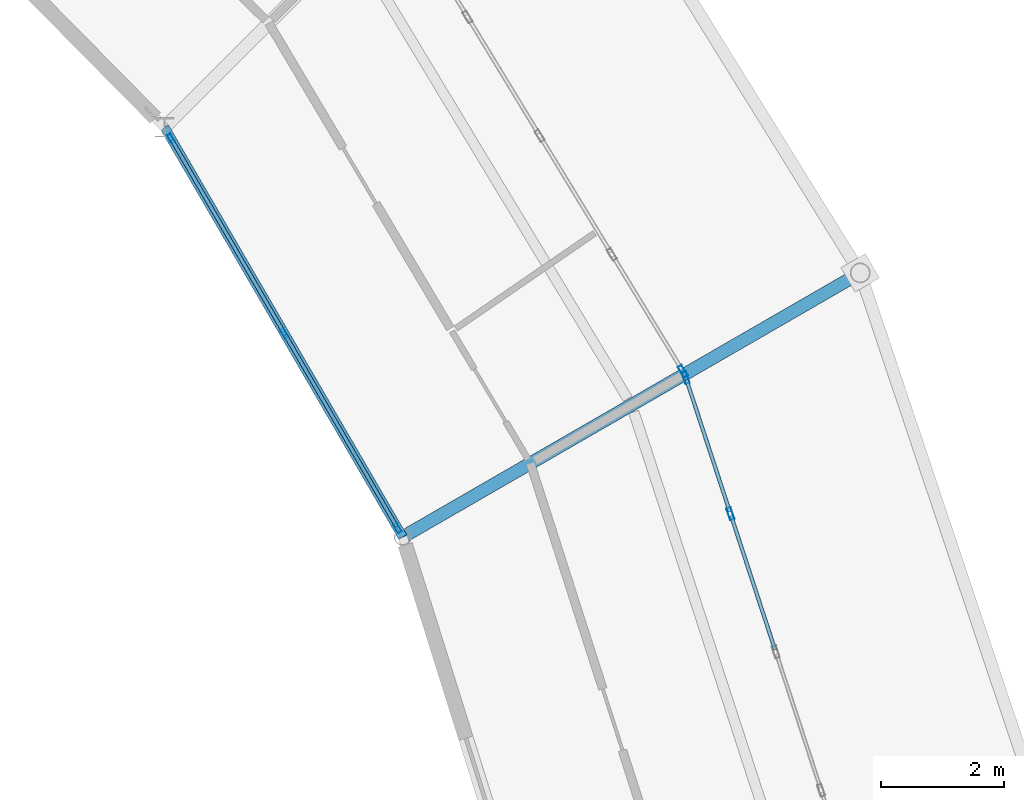
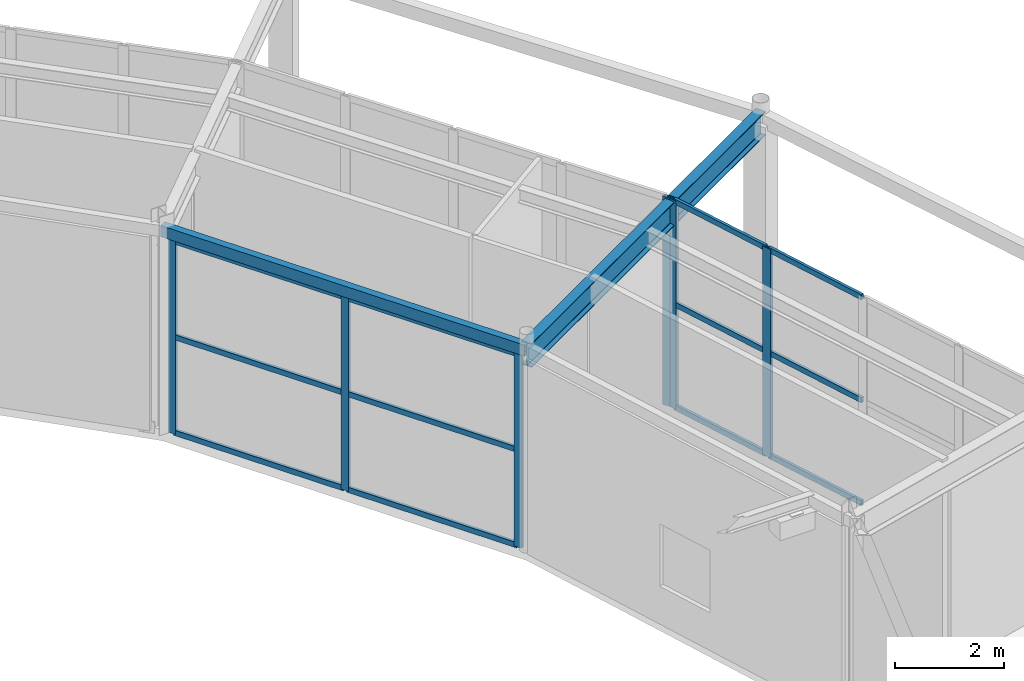
# One storey, part 84 of 144: 18 members, 2 beams, 3 elements without a shape of their own.
"""IFC4 building model written with IfcOpenShell, lengths in metres."""

import ifcopenshell
import ifcopenshell.guid

model = None  # the IFC model being written
_history = None  # IfcOwnerHistory: only IFC2X3 demands one
_inside = {}  # id of a spatial element -> (the spatial element, [elements in it])
_under = {}  # id of a project, library or spatial element -> (it, [spatial elements below it])
_declared = {}  # id of a project -> (the project, [libraries it declares])
_typed = {}  # id of a type object -> (the type object, [elements of that type])
_made_of = {}  # id of a material, layer set ... -> (it, [elements and type objects made of it])


def new_model(schema):
    """Start an empty IFC model of exactly this schema.

    Asked for "IFC4X3", IfcOpenShell would pick the latest addendum, in which some entities
    have other attributes; the version numbers below select the first issue.
    IFC2X3 requires an IfcOwnerHistory on every rooted entity: one is made here for all.
    """
    global model, _history
    if schema == "IFC4X3":
        model = ifcopenshell.file(schema_version=(4, 3, 0, 0))
    else:
        model = ifcopenshell.file(schema=schema)
    _inside.clear()
    _under.clear()
    _declared.clear()
    _typed.clear()
    _made_of.clear()
    _history = None
    if model.schema == "IFC2X3":
        org = make("IfcOrganization", Name="unknown")
        user = make(
            "IfcPersonAndOrganization",
            ThePerson=make("IfcPerson", FamilyName="unknown"),
            TheOrganization=org,
        )
        app = make(
            "IfcApplication",
            ApplicationDeveloper=org,
            Version="unknown",
            ApplicationFullName="unknown",
            ApplicationIdentifier="unknown",
        )
        _history = make(
            "IfcOwnerHistory",
            OwningUser=user,
            OwningApplication=app,
            ChangeAction="ADDED",
            CreationDate=0,
        )
    return model


def make(cls, **values):
    """One entity of the class cls with the attributes given. An attribute that is None is left unset."""
    return model.create_entity(
        cls, **{name: value for name, value in values.items() if value is not None}
    )


def rooted(cls, **values):
    """An entity with a GlobalId (a new one), such as an element, a storey or a relation."""
    return make(cls, GlobalId=ifcopenshell.guid.new(), OwnerHistory=_history, **values)


def si_unit(unit_type, name, prefix=None):
    """IfcSIUnit, for example si_unit("LENGTHUNIT", "METRE", prefix="MILLI")."""
    return make("IfcSIUnit", UnitType=unit_type, Prefix=prefix, Name=name)


def assignment(units):
    """IfcUnitAssignment: the units of a project."""
    return None if units is None else make("IfcUnitAssignment", Units=units)


def point(xyz):
    """IfcCartesianPoint."""
    return None if xyz is None else make("IfcCartesianPoint", Coordinates=xyz)


def direction(xyz):
    """IfcDirection."""
    return None if xyz is None else make("IfcDirection", DirectionRatios=xyz)


def frame(location, z_axis=None, x_axis=None):
    """IfcAxis2Placement3D, a coordinate frame: its origin and axes. An axis left out is left unset."""
    return make(
        "IfcAxis2Placement3D",
        Location=point(location),
        Axis=direction(z_axis),
        RefDirection=direction(x_axis),
    )


def frame_2d(location, x_axis=None):
    """IfcAxis2Placement2D, a coordinate frame in the plane: its origin and x axis."""
    return make(
        "IfcAxis2Placement2D", Location=point(location), RefDirection=direction(x_axis)
    )


def origin():
    """The frame at (0, 0, 0) with its axes left unset."""
    return frame((0.0, 0.0, 0.0))


def origin_2d():
    """The frame at (0, 0) in the plane with its x axis left unset."""
    return frame_2d((0.0, 0.0))


def place(relative_to, where):
    """IfcLocalPlacement: puts the frame where relative to a parent placement (None: the world)."""
    return make(
        "IfcLocalPlacement", PlacementRelTo=relative_to, RelativePlacement=where
    )


def context(
    kind, dimensions, precision=None, world=None, true_north=None, identifier=None
):
    """IfcGeometricRepresentationContext, for example the 3D "Model" context."""
    return make(
        "IfcGeometricRepresentationContext",
        ContextIdentifier=identifier,
        ContextType=kind,
        CoordinateSpaceDimension=dimensions,
        Precision=precision,
        WorldCoordinateSystem=world,
        TrueNorth=true_north,
    )


def subcontext(parent, identifier, kind, view, scale=None):
    """IfcGeometricRepresentationSubContext, for example "Body" below "Model"."""
    return make(
        "IfcGeometricRepresentationSubContext",
        ContextIdentifier=identifier,
        ContextType=kind,
        ParentContext=parent,
        TargetScale=scale,
        TargetView=view,
    )


def project(units=None, contexts=None):
    """IfcProject with its units and contexts."""
    return rooted(
        "IfcProject",
        Name="project",
        RepresentationContexts=contexts,
        UnitsInContext=assignment(units),
    )


def spatial(cls, under=None, at=None, **own):
    """A site, building, storey or space (cls), placed at a placement, below another one or the project."""
    s = rooted(cls, ObjectPlacement=at, **own)
    if under is not None:
        _under.setdefault(under.id(), (under, []))[1].append(s)
    return s


def profile(cls, at=None, kind="AREA", **sizes):
    """A parametric profile (cls). Its sizes go by their IFC names, for example OverallWidth=200.0."""
    return make(cls, ProfileType=kind, Position=at, **sizes)


def hollow_rectangle(**sizes):
    """IfcRectangleHollowProfileDef."""
    return profile("IfcRectangleHollowProfileDef", **sizes)


def i_section(**sizes):
    """IfcIShapeProfileDef."""
    return profile("IfcIShapeProfileDef", **sizes)


def extrude(swept, where, along, depth):
    """IfcExtrudedAreaSolid: the profile swept, set in the frame where, extruded along a direction by depth."""
    return make(
        "IfcExtrudedAreaSolid",
        SweptArea=swept,
        Position=where,
        ExtrudedDirection=direction(along),
        Depth=depth,
    )


def shape(context_of_items, identifier, shape_type, items):
    """IfcShapeRepresentation: the items that make up one representation, for example the "Body"."""
    return make(
        "IfcShapeRepresentation",
        ContextOfItems=context_of_items,
        RepresentationIdentifier=identifier,
        RepresentationType=shape_type,
        Items=items,
    )


def material(Name=None, Category=None):
    """IfcMaterial."""
    return make("IfcMaterial", Name=Name, Category=Category)


def material_profile(
    of_material, cross_section, Name=None, Category=None, Priority=None
):
    """IfcMaterialProfile: a cross section and its material."""
    return make(
        "IfcMaterialProfile",
        Name=Name,
        Material=of_material,
        Profile=cross_section,
        Priority=Priority,
        Category=Category,
    )


def profile_set(profiles, Name=None, composite=None):
    """IfcMaterialProfileSet."""
    return make(
        "IfcMaterialProfileSet",
        Name=Name,
        MaterialProfiles=profiles,
        CompositeProfile=composite,
    )


def made_of(thing, what):
    """Note that an element or type object is made of a material, layer set ...; save() writes the relation."""
    if what is not None:
        _made_of.setdefault(what.id(), (what, []))[1].append(thing)
    return thing


def type_object(cls, material=None, **own):
    """A type object (cls), such as IfcWallType, which elements share."""
    return made_of(rooted(cls, **own), material)


def element(
    cls,
    number,
    at=None,
    inside=None,
    cuts=None,
    type_object=None,
    material=None,
    context=None,
    identifier="Body",
    shape_type=None,
    held_by="IfcProductDefinitionShape",
    body=None,
    shapes=None,
    **own,
):
    """One element of the class cls, such as IfcWall. Its Tag is "e" and its number.

    at: its placement. inside: the storey or other place that contains it. cuts: it is an
    opening in that element (IfcRelVoidsElement). A single representation is given by context,
    identifier, shape_type and body (its items); several are given by shapes. held_by: the class
    of the entity that holds the representations. save() writes the other relations.
    """
    e = rooted(cls, Tag="e%d" % number, ObjectPlacement=at, **own)
    if body is not None:
        shapes = [shape(context, identifier, shape_type, body)]
    if shapes is not None:
        e.Representation = make(held_by, Representations=shapes)
    if inside is not None:
        _inside.setdefault(inside.id(), (inside, []))[1].append(e)
    if cuts is not None:
        rooted(
            "IfcRelVoidsElement", RelatingBuildingElement=cuts, RelatedOpeningElement=e
        )
    if type_object is not None:
        _typed.setdefault(type_object.id(), (type_object, []))[1].append(e)
    return made_of(e, material)


def aggregate(whole, parts):
    """IfcRelAggregates: a whole, such as a stair, and the parts it consists of."""
    return rooted("IfcRelAggregates", RelatingObject=whole, RelatedObjects=parts)


def save(model, path):
    """Write the relations noted so far, then the file.

    IfcRelAggregates (storeys below a building ...), IfcRelContainedInSpatialStructure (elements
    in a storey), IfcRelDefinesByType, IfcRelAssociatesMaterial and IfcRelDeclares: one each for
    every whole, place, type object, material and project.
    """
    for whole, parts in _under.values():
        aggregate(whole, parts)
    for where, things in _inside.values():
        rooted(
            "IfcRelContainedInSpatialStructure",
            RelatedElements=things,
            RelatingStructure=where,
        )
    for kind, things in _typed.values():
        rooted("IfcRelDefinesByType", RelatedObjects=things, RelatingType=kind)
    for what, things in _made_of.values():
        rooted("IfcRelAssociatesMaterial", RelatedObjects=things, RelatingMaterial=what)
    for by, libraries in _declared.values():
        rooted("IfcRelDeclares", RelatingContext=by, RelatedDefinitions=libraries)
    model.write(path)


model = new_model("IFC4")

# Units and contexts
model_context = context("Model", 3, precision=1e-05, world=origin(), true_north=direction((0.0, 1.0)))
body_context = subcontext(model_context, "Body", "Model", "MODEL_VIEW")
ifc_project = project(units=[si_unit("LENGTHUNIT", "METRE"), si_unit("AREAUNIT", "SQUARE_METRE"), si_unit("VOLUMEUNIT", "CUBIC_METRE"), si_unit("PLANEANGLEUNIT", "RADIAN"), si_unit("MASSUNIT", "GRAM", prefix="KILO")], contexts=[model_context])

# Site, building, storey
site_placement = place(None, origin())
site = spatial("IfcSite", under=ifc_project, at=site_placement, CompositionType="ELEMENT")
building_placement = place(site_placement, origin())
building = spatial("IfcBuilding", under=site, at=building_placement, Name="Karori Crest Natural Sciences Institute", CompositionType="ELEMENT")
storey_placement = place(building_placement, origin())
storey = spatial("IfcBuildingStorey", under=building, at=storey_placement, Name="L00", CompositionType="ELEMENT", Elevation=0.0)

# Beams
ifc_material_1 = material(Name="Structural steel AS/NZS 3679.1 Grade 350", Category="steel")
ifc_material_profile_1 = material_profile(ifc_material_1, i_section(OverallWidth=0.208984375, OverallDepth=0.532958984375, WebThickness=0.01025390625, FlangeThickness=0.015625, FilletRadius=0.013916015625, at=origin_2d()), Name="530UB92.4")
ifc_profile_set_1 = profile_set([ifc_material_profile_1], Name="Structural steel AS/NZS 3679.1 Grade 350")
beam_type_1 = type_object("IfcBeamType", Name="BT-05", PredefinedType="BEAM", material=ifc_profile_set_1)
beam_1_placement = place(storey_placement, frame((87.531005859375, 66.0, 4.37353515625), z_axis=(0.866021068297, 0.500007509209, 0.0), x_axis=(-0.500007509209, 0.866021068297, 0.0)))
element("IfcBeam", 1, at=beam_1_placement, inside=storey, type_object=beam_type_1, Name="Beam B-0099", PredefinedType="BEAM", context=body_context, shape_type="SweptSolid", body=[
    extrude(i_section(OverallWidth=0.208984375, OverallDepth=0.532958984375, WebThickness=0.01025390625, FlangeThickness=0.015625, FilletRadius=0.013916015625, at=origin_2d()), origin(), (0.0, 0.0, 1.0), 8.599853515625),
])
ifc_material_2 = material(Name="Hollow structural steel AS/NZS 1163 Grade C350", Category="steel")
ifc_material_profile_2 = material_profile(ifc_material_2, hollow_rectangle(XDim=0.14990234375, YDim=0.25, WallThickness=0.009033203125, at=origin_2d()), Name="RHS250x150x9")
ifc_profile_set_2 = profile_set([ifc_material_profile_2], Name="Hollow structural steel AS/NZS 1163 Grade C350")
beam_type_2 = type_object("IfcBeamType", Name="BT-16", PredefinedType="SPANDREL", material=ifc_profile_set_2)
beam_2_placement = place(storey_placement, frame((87.531005859375, 66.0, 4.489990234375), z_axis=(-0.502672163425, 0.864477122958, 0.0), x_axis=(-0.864477122958, -0.502672163425, 0.0)))
element("IfcBeam", 2, at=beam_2_placement, inside=storey, type_object=beam_type_2, Name="Beam B-0098", PredefinedType="SPANDREL", context=body_context, shape_type="SweptSolid", body=[
    extrude(hollow_rectangle(XDim=0.14990234375, YDim=0.25, WallThickness=0.009033203125, at=origin_2d()), origin(), (0.0, 0.0, 1.0), 7.714111328125),
])

# Curtain wall, members
ifc_material_3 = material(Name="Anodised architectural aluminium 6063-T6", Category="aluminium")
curtain_wall_type_1 = type_object("IfcCurtainWallType", Name="CWT-13", PredefinedType="NOTDEFINED", material=ifc_material_3)
curtain_wall_1_placement = place(storey_placement, origin())
curtain_wall_1 = element("IfcCurtainWall", 3, at=curtain_wall_1_placement, inside=storey, type_object=curtain_wall_type_1, Name="Curtain wall CW-0004", PredefinedType="NOTDEFINED")
ifc_material_profile_3 = material_profile(ifc_material_3, hollow_rectangle(XDim=0.06494140625, YDim=0.159912109375, WallThickness=0.00390625, at=origin_2d()), Name="CWM160x65x4")
ifc_profile_set_3 = profile_set([ifc_material_profile_3], Name="Anodised architectural aluminium 6063-T6")
member_type_1 = type_object("IfcMemberType", Name="CWM-01", PredefinedType="MULLION", material=ifc_profile_set_3)
member_1_placement = place(storey_placement, frame((87.447021484375, 66.144287109375, 0.0), z_axis=(0.0, 0.0, 1.0), x_axis=(-0.864484379326, -0.502659683982, 0.0)))
member_1 = element("IfcMember", 4, at=member_1_placement, type_object=member_type_1, Name="CW-0004 mullion 1", PredefinedType="MULLION", context=body_context, shape_type="SweptSolid", body=[
    extrude(hollow_rectangle(XDim=0.06494140625, YDim=0.159912109375, WallThickness=0.00390625, at=origin_2d()), origin(), (0.0, 0.0, 1.0), 4.35009765625),
])
member_2_placement = place(storey_placement, frame((85.603759765625, 69.314697265625, 0.0), z_axis=(0.0, 0.0, 1.0), x_axis=(-0.864484379326, -0.502659683982, 0.0)))
member_2 = element("IfcMember", 5, at=member_2_placement, type_object=member_type_1, Name="CW-0004 mullion 2", PredefinedType="MULLION", context=body_context, shape_type="SweptSolid", body=[
    extrude(hollow_rectangle(XDim=0.06494140625, YDim=0.159912109375, WallThickness=0.00390625, at=origin_2d()), origin(), (0.0, 0.0, 1.0), 4.35009765625),
])
member_3_placement = place(storey_placement, frame((83.76025390625, 72.48486328125, 0.0), z_axis=(0.0, 0.0, 1.0), x_axis=(-0.864484379326, -0.502659683982, 0.0)))
member_3 = element("IfcMember", 6, at=member_3_placement, type_object=member_type_1, Name="CW-0004 mullion 3", PredefinedType="MULLION", context=body_context, shape_type="SweptSolid", body=[
    extrude(hollow_rectangle(XDim=0.06494140625, YDim=0.159912109375, WallThickness=0.00390625, at=origin_2d()), origin(), (0.0, 0.0, 1.0), 4.35009765625),
])

curtain_wall_type_2 = type_object("IfcCurtainWallType", Name="CWT-02", PredefinedType="NOTDEFINED", material=ifc_material_3)
curtain_wall_2_placement = place(storey_placement, origin())
curtain_wall_2 = element("IfcCurtainWall", 7, at=curtain_wall_2_placement, inside=storey, type_object=curtain_wall_type_2, Name="Curtain wall CW-0002", PredefinedType="NOTDEFINED")
ifc_material_profile_4 = material_profile(ifc_material_3, hollow_rectangle(XDim=0.074951171875, YDim=0.199951171875, WallThickness=0.0048828125, at=origin_2d()), Name="CWM200x75x5")
ifc_profile_set_4 = profile_set([ifc_material_profile_4], Name="Anodised architectural aluminium 6063-T6")
member_type_2 = type_object("IfcMemberType", Name="CWM-02", PredefinedType="MULLION", material=ifc_profile_set_4)
member_4_placement = place(storey_placement, frame((92.138916015625, 68.595458984375, 0.0), z_axis=(0.0, 0.0, 1.0), x_axis=(0.950175969879, 0.311714013584, 0.0)))
member_4 = element("IfcMember", 8, at=member_4_placement, type_object=member_type_2, Name="CW-0002 mullion 1", PredefinedType="MULLION", context=body_context, shape_type="SweptSolid", body=[
    extrude(hollow_rectangle(XDim=0.074951171875, YDim=0.199951171875, WallThickness=0.0048828125, at=origin_2d()), origin(), (0.0, 0.0, 1.0), 4.679931640625),
])
member_5_placement = place(storey_placement, frame((92.865966796875, 66.37939453125, 0.0), z_axis=(0.0, 0.0, 1.0), x_axis=(0.950175969879, 0.311714013584, 0.0)))
member_5 = element("IfcMember", 9, at=member_5_placement, type_object=member_type_2, Name="CW-0002 mullion 2", PredefinedType="MULLION", context=body_context, shape_type="SweptSolid", body=[
    extrude(hollow_rectangle(XDim=0.074951171875, YDim=0.199951171875, WallThickness=0.0048828125, at=origin_2d()), origin(), (0.0, 0.0, 1.0), 4.679931640625),
])

# Curtain wall, member
curtain_wall_type_3 = type_object("IfcCurtainWallType", Name="CWT-03", PredefinedType="NOTDEFINED", material=ifc_material_3)
curtain_wall_3_placement = place(storey_placement, origin())
curtain_wall_3 = element("IfcCurtainWall", 10, at=curtain_wall_3_placement, inside=storey, type_object=curtain_wall_type_3, Name="Curtain wall CW-0003", PredefinedType="NOTDEFINED")
member_6_placement = place(storey_placement, frame((92.091064453125, 68.69921875, 0.0), z_axis=(0.0, 0.0, 1.0), x_axis=(0.854567337323, 0.519340606905, 0.0)))
member_6 = element("IfcMember", 11, at=member_6_placement, type_object=member_type_2, Name="CW-0003 mullion 5", PredefinedType="MULLION", context=body_context, shape_type="SweptSolid", body=[
    extrude(hollow_rectangle(XDim=0.074951171875, YDim=0.199951171875, WallThickness=0.0048828125, at=origin_2d()), origin(), (0.0, 0.0, 1.0), 4.679931640625),
])
aggregate(curtain_wall_3, [member_6])

# Member
ifc_material_profile_5 = material_profile(ifc_material_3, hollow_rectangle(XDim=0.06005859375, YDim=0.1201171875, WallThickness=0.00390625, at=origin_2d()), Name="CWT120x60x4")
ifc_profile_set_5 = profile_set([ifc_material_profile_5], Name="Anodised architectural aluminium 6063-T6")
member_type_3 = type_object("IfcMemberType", Name="CWT-TR1", PredefinedType="USERDEFINED", material=ifc_profile_set_5)
member_7_placement = place(storey_placement, frame((92.150634765625, 68.559814453125, 0.030029296875), z_axis=(0.311713965884, -0.950175985527, 0.0), x_axis=(0.950175985527, 0.311713965884, 0.0)))
member_7 = element("IfcMember", 12, at=member_7_placement, type_object=member_type_3, Name="CW-0002 transom 1.1", ObjectType="TRANSOM", PredefinedType="USERDEFINED", context=body_context, shape_type="SweptSolid", body=[
    extrude(hollow_rectangle(XDim=0.06005859375, YDim=0.1201171875, WallThickness=0.00390625, at=origin_2d()), origin(), (0.0, 0.0, 1.0), 2.25732421875),
])

member_8_placement = place(storey_placement, frame((92.150634765625, 68.559814453125, 2.340087890625), z_axis=(0.311713965884, -0.950175985527, 0.0), x_axis=(0.950175985527, 0.311713965884, 0.0)))
member_8 = element("IfcMember", 13, at=member_8_placement, type_object=member_type_3, Name="CW-0002 transom 1.2", ObjectType="TRANSOM", PredefinedType="USERDEFINED", context=body_context, shape_type="SweptSolid", body=[
    extrude(hollow_rectangle(XDim=0.06005859375, YDim=0.1201171875, WallThickness=0.00390625, at=origin_2d()), origin(), (0.0, 0.0, 1.0), 2.25732421875),
])

member_9_placement = place(storey_placement, frame((92.150634765625, 68.559814453125, 4.64990234375), z_axis=(0.311713965884, -0.950175985527, 0.0), x_axis=(0.950175985527, 0.311713965884, 0.0)))
member_9 = element("IfcMember", 14, at=member_9_placement, type_object=member_type_3, Name="CW-0002 transom 1.3", ObjectType="TRANSOM", PredefinedType="USERDEFINED", context=body_context, shape_type="SweptSolid", body=[
    extrude(hollow_rectangle(XDim=0.06005859375, YDim=0.1201171875, WallThickness=0.00390625, at=origin_2d()), origin(), (0.0, 0.0, 1.0), 2.25732421875),
])

member_10_placement = place(storey_placement, frame((92.87744140625, 66.34375, 0.030029296875), z_axis=(0.311755408657, -0.950162388844, 0.0), x_axis=(0.950162388844, 0.311755408657, 0.0)))
member_10 = element("IfcMember", 15, at=member_10_placement, type_object=member_type_3, Name="CW-0002 transom 2.1", ObjectType="TRANSOM", PredefinedType="USERDEFINED", context=body_context, shape_type="SweptSolid", body=[
    extrude(hollow_rectangle(XDim=0.06005859375, YDim=0.1201171875, WallThickness=0.00390625, at=origin_2d()), origin(), (0.0, 0.0, 1.0), 2.29443359375),
])

member_11_placement = place(storey_placement, frame((92.87744140625, 66.34375, 2.340087890625), z_axis=(0.311755408657, -0.950162388844, 0.0), x_axis=(0.950162388844, 0.311755408657, 0.0)))
member_11 = element("IfcMember", 16, at=member_11_placement, type_object=member_type_3, Name="CW-0002 transom 2.2", ObjectType="TRANSOM", PredefinedType="USERDEFINED", context=body_context, shape_type="SweptSolid", body=[
    extrude(hollow_rectangle(XDim=0.06005859375, YDim=0.1201171875, WallThickness=0.00390625, at=origin_2d()), origin(), (0.0, 0.0, 1.0), 2.29443359375),
])

member_12_placement = place(storey_placement, frame((92.87744140625, 66.34375, 4.64990234375), z_axis=(0.311755408657, -0.950162388844, 0.0), x_axis=(0.950162388844, 0.311755408657, 0.0)))
member_12 = element("IfcMember", 17, at=member_12_placement, type_object=member_type_3, Name="CW-0002 transom 2.3", ObjectType="TRANSOM", PredefinedType="USERDEFINED", context=body_context, shape_type="SweptSolid", body=[
    extrude(hollow_rectangle(XDim=0.06005859375, YDim=0.1201171875, WallThickness=0.00390625, at=origin_2d()), origin(), (0.0, 0.0, 1.0), 2.29443359375),
])

aggregate(curtain_wall_2, [member_4, member_5, member_7, member_8, member_9, member_10, member_11, member_12])

member_13_placement = place(storey_placement, frame((87.4306640625, 66.172607421875, 0.030029296875), z_axis=(-0.502635771548, 0.864498282914, 0.0), x_axis=(-0.864498282914, -0.502635771548, 0.0)))
member_13 = element("IfcMember", 18, at=member_13_placement, type_object=member_type_3, Name="CW-0004 transom 1.1", ObjectType="TRANSOM", PredefinedType="USERDEFINED", context=body_context, shape_type="SweptSolid", body=[
    extrude(hollow_rectangle(XDim=0.06005859375, YDim=0.1201171875, WallThickness=0.00390625, at=origin_2d()), origin(), (0.0, 0.0, 1.0), 3.60205078125),
])

member_14_placement = place(storey_placement, frame((87.4306640625, 66.172607421875, 2.175048828125), z_axis=(-0.502635771548, 0.864498282914, 0.0), x_axis=(-0.864498282914, -0.502635771548, 0.0)))
member_14 = element("IfcMember", 19, at=member_14_placement, type_object=member_type_3, Name="CW-0004 transom 1.2", ObjectType="TRANSOM", PredefinedType="USERDEFINED", context=body_context, shape_type="SweptSolid", body=[
    extrude(hollow_rectangle(XDim=0.06005859375, YDim=0.1201171875, WallThickness=0.00390625, at=origin_2d()), origin(), (0.0, 0.0, 1.0), 3.60205078125),
])

member_15_placement = place(storey_placement, frame((87.4306640625, 66.172607421875, 4.320068359375), z_axis=(-0.502635771548, 0.864498282914, 0.0), x_axis=(-0.864498282914, -0.502635771548, 0.0)))
member_15 = element("IfcMember", 20, at=member_15_placement, type_object=member_type_3, Name="CW-0004 transom 1.3", ObjectType="TRANSOM", PredefinedType="USERDEFINED", context=body_context, shape_type="SweptSolid", body=[
    extrude(hollow_rectangle(XDim=0.06005859375, YDim=0.1201171875, WallThickness=0.00390625, at=origin_2d()), origin(), (0.0, 0.0, 1.0), 3.60205078125),
])

member_16_placement = place(storey_placement, frame((85.58740234375, 69.3427734375, 0.030029296875), z_axis=(-0.502686422749, 0.864468831355, 0.0), x_axis=(-0.864468831355, -0.502686422749, 0.0)))
member_16 = element("IfcMember", 21, at=member_16_placement, type_object=member_type_3, Name="CW-0004 transom 2.1", ObjectType="TRANSOM", PredefinedType="USERDEFINED", context=body_context, shape_type="SweptSolid", body=[
    extrude(hollow_rectangle(XDim=0.06005859375, YDim=0.1201171875, WallThickness=0.00390625, at=origin_2d()), origin(), (0.0, 0.0, 1.0), 3.602294921875),
])

member_17_placement = place(storey_placement, frame((85.58740234375, 69.3427734375, 2.175048828125), z_axis=(-0.502686422749, 0.864468831355, 0.0), x_axis=(-0.864468831355, -0.502686422749, 0.0)))
member_17 = element("IfcMember", 22, at=member_17_placement, type_object=member_type_3, Name="CW-0004 transom 2.2", ObjectType="TRANSOM", PredefinedType="USERDEFINED", context=body_context, shape_type="SweptSolid", body=[
    extrude(hollow_rectangle(XDim=0.06005859375, YDim=0.1201171875, WallThickness=0.00390625, at=origin_2d()), origin(), (0.0, 0.0, 1.0), 3.602294921875),
])

member_18_placement = place(storey_placement, frame((85.58740234375, 69.3427734375, 4.320068359375), z_axis=(-0.502686422749, 0.864468831355, 0.0), x_axis=(-0.864468831355, -0.502686422749, 0.0)))
member_18 = element("IfcMember", 23, at=member_18_placement, type_object=member_type_3, Name="CW-0004 transom 2.3", ObjectType="TRANSOM", PredefinedType="USERDEFINED", context=body_context, shape_type="SweptSolid", body=[
    extrude(hollow_rectangle(XDim=0.06005859375, YDim=0.1201171875, WallThickness=0.00390625, at=origin_2d()), origin(), (0.0, 0.0, 1.0), 3.602294921875),
])

aggregate(curtain_wall_1, [member_1, member_2, member_3, member_13, member_14, member_15, member_16, member_17, member_18])

save(model, "model.ifc")
